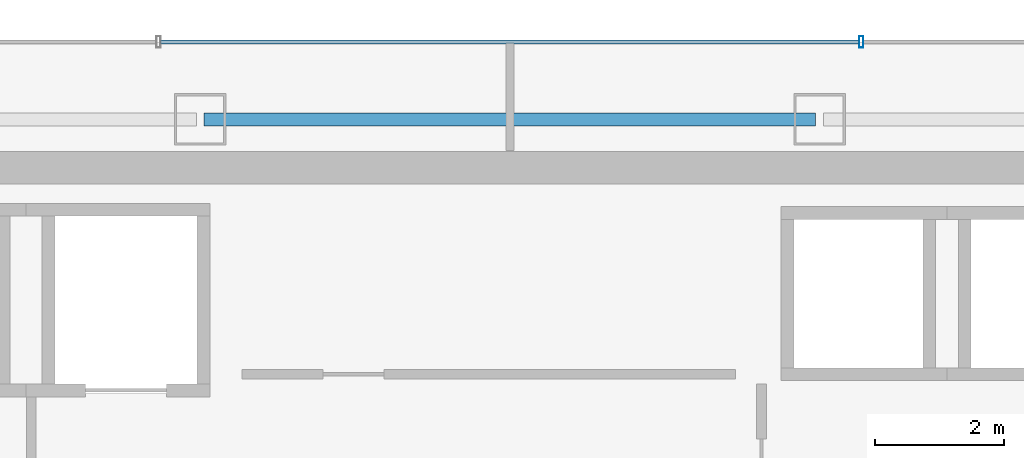
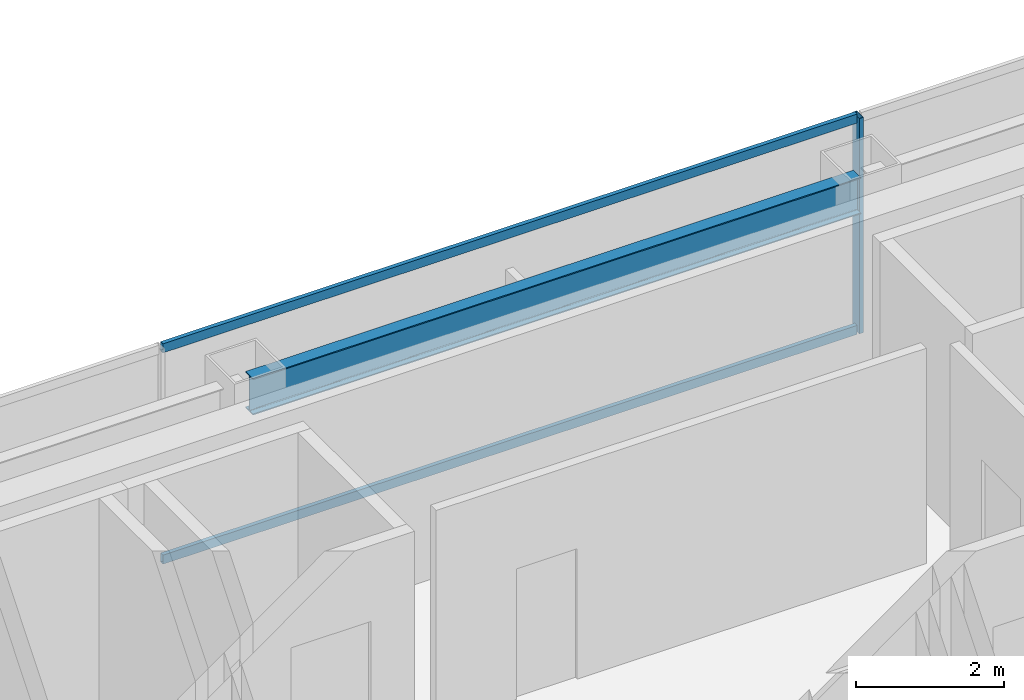
# One storey, part 25 of 36: 3 members, 1 beam, 1 element without a shape of its own.
"""IFC4 building model written with IfcOpenShell, lengths in metres."""

from ifc_helpers import new_model, si_unit, direction, frame, origin, origin_2d, place, context, subcontext, project, spatial, hollow_rectangle, i_section, extrude, material, material_profile, profile_set, type_object, element, aggregate, save


model = new_model("IFC4")

# Units and contexts
model_context = context("Model", 3, precision=1e-05, world=origin(), true_north=direction((0.0, 1.0)))
body_context = subcontext(model_context, "Body", "Model", "MODEL_VIEW")
ifc_project = project(units=[si_unit("LENGTHUNIT", "METRE"), si_unit("AREAUNIT", "SQUARE_METRE"), si_unit("VOLUMEUNIT", "CUBIC_METRE"), si_unit("PLANEANGLEUNIT", "RADIAN"), si_unit("MASSUNIT", "GRAM", prefix="KILO")], contexts=[model_context])

# Site, building, storey
site_placement = place(None, origin())
site = spatial("IfcSite", under=ifc_project, at=site_placement, CompositionType="ELEMENT")
building_placement = place(site_placement, origin())
building = spatial("IfcBuilding", under=site, at=building_placement, Name="Saevonmaru Cultural Tower", CompositionType="ELEMENT")
storey_placement = place(building_placement, frame((0.0, 0.0, 186.60009765625)))
storey = spatial("IfcBuildingStorey", under=building, at=storey_placement, Name="L42", CompositionType="ELEMENT", Elevation=186.60009765625)

# Beam
ifc_material_1 = material(Name="Steel SM355", Category="steel")
ifc_material_profile_1 = material_profile(ifc_material_1, i_section(OverallWidth=0.199951171875, OverallDepth=0.60009765625, WebThickness=0.010986328125, FlangeThickness=0.01708984375, FilletRadius=0.02197265625, at=origin_2d()), Name="H-600x200x11x17")
ifc_profile_set_1 = profile_set([ifc_material_profile_1], Name="Steel SM355")
beam_type = type_object("IfcBeamType", Name="BM-SP-H600", PredefinedType="SPANDREL", material=ifc_profile_set_1)
beam_placement = place(storey_placement, frame((25.260009765625, 54.800048828125, 3.25), z_axis=(1.0, 0.0, 0.0), x_axis=(0.0, 1.0, 0.0)))
element("IfcBeam", 1, at=beam_placement, inside=storey, type_object=beam_type, Name="L42 North Spine Girder 3", PredefinedType="SPANDREL", context=body_context, shape_type="SweptSolid", body=[
    extrude(i_section(OverallWidth=0.199951171875, OverallDepth=0.60009765625, WebThickness=0.010986328125, FlangeThickness=0.01708984375, FilletRadius=0.02197265625, at=origin_2d()), origin(), (0.0, 0.0, 1.0), 9.47998046875),
])

# Curtain wall, members
ifc_material_2 = material(Name="Satin Bronze Anodised Aluminium", Category="aluminium")
curtain_wall_type = type_object("IfcCurtainWallType", Name="CW-TYP-B", PredefinedType="NOTDEFINED", material=ifc_material_2)
curtain_wall_placement = place(storey_placement, origin())
curtain_wall = element("IfcCurtainWall", 2, at=curtain_wall_placement, inside=storey, type_object=curtain_wall_type, Name="L42 North Spine Unitised Curtain Wall E10B", PredefinedType="NOTDEFINED")
ifc_material_profile_2 = material_profile(ifc_material_2, hollow_rectangle(XDim=0.06494140625, YDim=0.179931640625, WallThickness=0.00390625, at=origin_2d()), Name="ALU-MULL-180x65x4")
ifc_profile_set_2 = profile_set([ifc_material_profile_2], Name="Satin Bronze Anodised Aluminium")
member_type_1 = type_object("IfcMemberType", Name="ML-CW-180x65", PredefinedType="MULLION", material=ifc_profile_set_2)
member_1_placement = place(storey_placement, frame((35.44677734375, 56.0, 0.0), z_axis=(0.0, 0.0, 1.0), x_axis=(-1.0, 0.0, 0.0)))
member_1 = element("IfcMember", 3, at=member_1_placement, type_object=member_type_1, Name="CW-TW-L42-E10B mullion 2", PredefinedType="MULLION", context=body_context, shape_type="SweptSolid", body=[
    extrude(hollow_rectangle(XDim=0.06494140625, YDim=0.179931640625, WallThickness=0.00390625, at=origin_2d()), origin(), (0.0, 0.0, 1.0), 3.5498046875),
])
ifc_material_profile_3 = material_profile(ifc_material_2, hollow_rectangle(XDim=0.06494140625, YDim=0.14990234375, WallThickness=0.00390625, at=origin_2d()), Name="ALU-TRAN-150x65x4")
ifc_profile_set_3 = profile_set([ifc_material_profile_3], Name="Satin Bronze Anodised Aluminium")
member_type_2 = type_object("IfcMemberType", Name="TR-CW-150x65", PredefinedType="USERDEFINED", material=ifc_profile_set_3)
member_2_placement = place(storey_placement, frame((35.4140625, 56.0, 0.032470703125), z_axis=(-1.0, 0.0, 0.0), x_axis=(0.0, -1.0, 0.0)))
member_2 = element("IfcMember", 4, at=member_2_placement, type_object=member_type_2, Name="CW-TW-L42-E10B transom 2.1", ObjectType="TRANSOM", PredefinedType="USERDEFINED", context=body_context, shape_type="SweptSolid", body=[
    extrude(hollow_rectangle(XDim=0.06494140625, YDim=0.14990234375, WallThickness=0.00390625, at=origin_2d()), origin(), (0.0, 0.0, 1.0), 10.828125),
])
member_3_placement = place(storey_placement, frame((35.4140625, 56.0, 3.517333984375), z_axis=(-1.0, 0.0, 0.0), x_axis=(0.0, -1.0, 0.0)))
member_3 = element("IfcMember", 5, at=member_3_placement, type_object=member_type_2, Name="CW-TW-L42-E10B transom 2.2", ObjectType="TRANSOM", PredefinedType="USERDEFINED", context=body_context, shape_type="SweptSolid", body=[
    extrude(hollow_rectangle(XDim=0.06494140625, YDim=0.14990234375, WallThickness=0.00390625, at=origin_2d()), origin(), (0.0, 0.0, 1.0), 10.828125),
])
aggregate(curtain_wall, [member_1, member_2, member_3])

save(model, "model.ifc")
